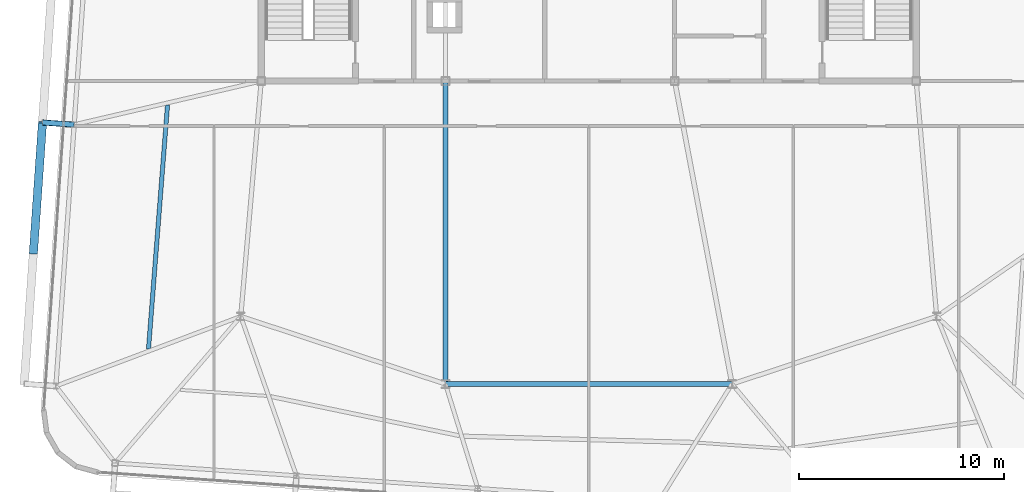
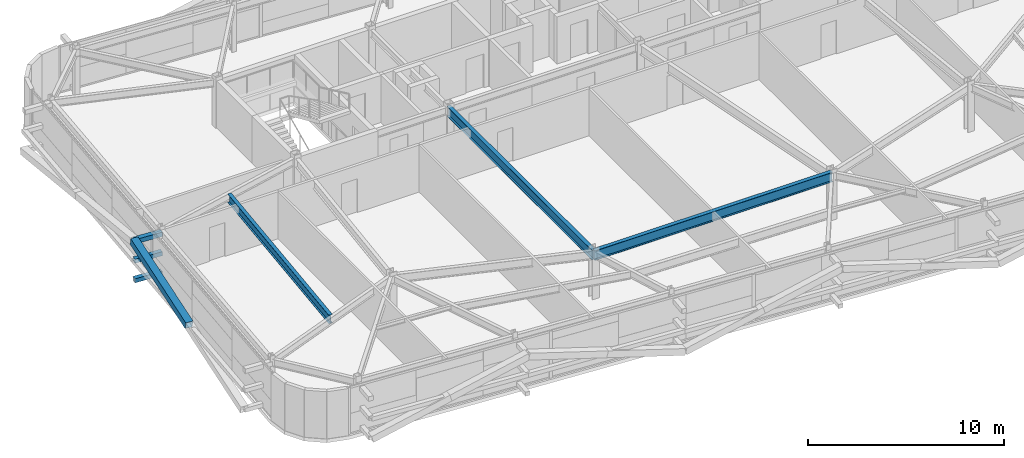
# One storey, part 10 of 39: 4 members, 3 beams.
"""IFC4 building model written with IfcOpenShell, lengths in metres."""

import ifcopenshell
import ifcopenshell.guid

model = None  # the IFC model being written
_history = None  # IfcOwnerHistory: only IFC2X3 demands one
_inside = {}  # id of a spatial element -> (the spatial element, [elements in it])
_under = {}  # id of a project, library or spatial element -> (it, [spatial elements below it])
_declared = {}  # id of a project -> (the project, [libraries it declares])
_typed = {}  # id of a type object -> (the type object, [elements of that type])
_made_of = {}  # id of a material, layer set ... -> (it, [elements and type objects made of it])


def new_model(schema):
    """Start an empty IFC model of exactly this schema.

    Asked for "IFC4X3", IfcOpenShell would pick the latest addendum, in which some entities
    have other attributes; the version numbers below select the first issue.
    IFC2X3 requires an IfcOwnerHistory on every rooted entity: one is made here for all.
    """
    global model, _history
    if schema == "IFC4X3":
        model = ifcopenshell.file(schema_version=(4, 3, 0, 0))
    else:
        model = ifcopenshell.file(schema=schema)
    _inside.clear()
    _under.clear()
    _declared.clear()
    _typed.clear()
    _made_of.clear()
    _history = None
    if model.schema == "IFC2X3":
        org = make("IfcOrganization", Name="unknown")
        user = make(
            "IfcPersonAndOrganization",
            ThePerson=make("IfcPerson", FamilyName="unknown"),
            TheOrganization=org,
        )
        app = make(
            "IfcApplication",
            ApplicationDeveloper=org,
            Version="unknown",
            ApplicationFullName="unknown",
            ApplicationIdentifier="unknown",
        )
        _history = make(
            "IfcOwnerHistory",
            OwningUser=user,
            OwningApplication=app,
            ChangeAction="ADDED",
            CreationDate=0,
        )
    return model


def make(cls, **values):
    """One entity of the class cls with the attributes given. An attribute that is None is left unset."""
    return model.create_entity(
        cls, **{name: value for name, value in values.items() if value is not None}
    )


def rooted(cls, **values):
    """An entity with a GlobalId (a new one), such as an element, a storey or a relation."""
    return make(cls, GlobalId=ifcopenshell.guid.new(), OwnerHistory=_history, **values)


def si_unit(unit_type, name, prefix=None):
    """IfcSIUnit, for example si_unit("LENGTHUNIT", "METRE", prefix="MILLI")."""
    return make("IfcSIUnit", UnitType=unit_type, Prefix=prefix, Name=name)


def assignment(units):
    """IfcUnitAssignment: the units of a project."""
    return None if units is None else make("IfcUnitAssignment", Units=units)


def point(xyz):
    """IfcCartesianPoint."""
    return None if xyz is None else make("IfcCartesianPoint", Coordinates=xyz)


def direction(xyz):
    """IfcDirection."""
    return None if xyz is None else make("IfcDirection", DirectionRatios=xyz)


def frame(location, z_axis=None, x_axis=None):
    """IfcAxis2Placement3D, a coordinate frame: its origin and axes. An axis left out is left unset."""
    return make(
        "IfcAxis2Placement3D",
        Location=point(location),
        Axis=direction(z_axis),
        RefDirection=direction(x_axis),
    )


def frame_2d(location, x_axis=None):
    """IfcAxis2Placement2D, a coordinate frame in the plane: its origin and x axis."""
    return make(
        "IfcAxis2Placement2D", Location=point(location), RefDirection=direction(x_axis)
    )


def origin():
    """The frame at (0, 0, 0) with its axes left unset."""
    return frame((0.0, 0.0, 0.0))


def origin_2d():
    """The frame at (0, 0) in the plane with its x axis left unset."""
    return frame_2d((0.0, 0.0))


def place(relative_to, where):
    """IfcLocalPlacement: puts the frame where relative to a parent placement (None: the world)."""
    return make(
        "IfcLocalPlacement", PlacementRelTo=relative_to, RelativePlacement=where
    )


def context(
    kind, dimensions, precision=None, world=None, true_north=None, identifier=None
):
    """IfcGeometricRepresentationContext, for example the 3D "Model" context."""
    return make(
        "IfcGeometricRepresentationContext",
        ContextIdentifier=identifier,
        ContextType=kind,
        CoordinateSpaceDimension=dimensions,
        Precision=precision,
        WorldCoordinateSystem=world,
        TrueNorth=true_north,
    )


def subcontext(parent, identifier, kind, view, scale=None):
    """IfcGeometricRepresentationSubContext, for example "Body" below "Model"."""
    return make(
        "IfcGeometricRepresentationSubContext",
        ContextIdentifier=identifier,
        ContextType=kind,
        ParentContext=parent,
        TargetScale=scale,
        TargetView=view,
    )


def project(units=None, contexts=None):
    """IfcProject with its units and contexts."""
    return rooted(
        "IfcProject",
        Name="project",
        RepresentationContexts=contexts,
        UnitsInContext=assignment(units),
    )


def spatial(cls, under=None, at=None, **own):
    """A site, building, storey or space (cls), placed at a placement, below another one or the project."""
    s = rooted(cls, ObjectPlacement=at, **own)
    if under is not None:
        _under.setdefault(under.id(), (under, []))[1].append(s)
    return s


def profile(cls, at=None, kind="AREA", **sizes):
    """A parametric profile (cls). Its sizes go by their IFC names, for example OverallWidth=200.0."""
    return make(cls, ProfileType=kind, Position=at, **sizes)


def hollow_rectangle(**sizes):
    """IfcRectangleHollowProfileDef."""
    return profile("IfcRectangleHollowProfileDef", **sizes)


def i_section(**sizes):
    """IfcIShapeProfileDef."""
    return profile("IfcIShapeProfileDef", **sizes)


def extrude(swept, where, along, depth):
    """IfcExtrudedAreaSolid: the profile swept, set in the frame where, extruded along a direction by depth."""
    return make(
        "IfcExtrudedAreaSolid",
        SweptArea=swept,
        Position=where,
        ExtrudedDirection=direction(along),
        Depth=depth,
    )


def shape(context_of_items, identifier, shape_type, items):
    """IfcShapeRepresentation: the items that make up one representation, for example the "Body"."""
    return make(
        "IfcShapeRepresentation",
        ContextOfItems=context_of_items,
        RepresentationIdentifier=identifier,
        RepresentationType=shape_type,
        Items=items,
    )


def source(mapping_origin, context_of_items, identifier, shape_type, items):
    """IfcRepresentationMap: a shape defined once, which mapped items show again and again."""
    return make(
        "IfcRepresentationMap",
        MappingOrigin=mapping_origin,
        MappedRepresentation=shape(context_of_items, identifier, shape_type, items),
    )


def transform(
    local_origin,
    x_axis=None,
    y_axis=None,
    z_axis=None,
    scale=None,
    scale2=None,
    scale3=None,
    uniform=True,
):
    """IfcCartesianTransformationOperator3D, or its non-uniform kind. x_axis, y_axis, z_axis: its Axis1, 2, 3."""
    if uniform:
        return make(
            "IfcCartesianTransformationOperator3D",
            Axis1=direction(x_axis),
            Axis2=direction(y_axis),
            LocalOrigin=point(local_origin),
            Scale=scale,
            Axis3=direction(z_axis),
        )
    return make(
        "IfcCartesianTransformationOperator3DnonUniform",
        Axis1=direction(x_axis),
        Axis2=direction(y_axis),
        LocalOrigin=point(local_origin),
        Scale=scale,
        Axis3=direction(z_axis),
        Scale2=scale2,
        Scale3=scale3,
    )


def mapped(mapping_source, mapping_target):
    """IfcMappedItem: shows the shape of a source again, moved by a transform."""
    return make(
        "IfcMappedItem", MappingSource=mapping_source, MappingTarget=mapping_target
    )


def material(Name=None, Category=None):
    """IfcMaterial."""
    return make("IfcMaterial", Name=Name, Category=Category)


def material_profile(
    of_material, cross_section, Name=None, Category=None, Priority=None
):
    """IfcMaterialProfile: a cross section and its material."""
    return make(
        "IfcMaterialProfile",
        Name=Name,
        Material=of_material,
        Profile=cross_section,
        Priority=Priority,
        Category=Category,
    )


def profile_set(profiles, Name=None, composite=None):
    """IfcMaterialProfileSet."""
    return make(
        "IfcMaterialProfileSet",
        Name=Name,
        MaterialProfiles=profiles,
        CompositeProfile=composite,
    )


def made_of(thing, what):
    """Note that an element or type object is made of a material, layer set ...; save() writes the relation."""
    if what is not None:
        _made_of.setdefault(what.id(), (what, []))[1].append(thing)
    return thing


def type_object(cls, material=None, **own):
    """A type object (cls), such as IfcWallType, which elements share."""
    return made_of(rooted(cls, **own), material)


def element(
    cls,
    number,
    at=None,
    inside=None,
    cuts=None,
    type_object=None,
    material=None,
    context=None,
    identifier="Body",
    shape_type=None,
    held_by="IfcProductDefinitionShape",
    body=None,
    shapes=None,
    **own,
):
    """One element of the class cls, such as IfcWall. Its Tag is "e" and its number.

    at: its placement. inside: the storey or other place that contains it. cuts: it is an
    opening in that element (IfcRelVoidsElement). A single representation is given by context,
    identifier, shape_type and body (its items); several are given by shapes. held_by: the class
    of the entity that holds the representations. save() writes the other relations.
    """
    e = rooted(cls, Tag="e%d" % number, ObjectPlacement=at, **own)
    if body is not None:
        shapes = [shape(context, identifier, shape_type, body)]
    if shapes is not None:
        e.Representation = make(held_by, Representations=shapes)
    if inside is not None:
        _inside.setdefault(inside.id(), (inside, []))[1].append(e)
    if cuts is not None:
        rooted(
            "IfcRelVoidsElement", RelatingBuildingElement=cuts, RelatedOpeningElement=e
        )
    if type_object is not None:
        _typed.setdefault(type_object.id(), (type_object, []))[1].append(e)
    return made_of(e, material)


def aggregate(whole, parts):
    """IfcRelAggregates: a whole, such as a stair, and the parts it consists of."""
    return rooted("IfcRelAggregates", RelatingObject=whole, RelatedObjects=parts)


def save(model, path):
    """Write the relations noted so far, then the file.

    IfcRelAggregates (storeys below a building ...), IfcRelContainedInSpatialStructure (elements
    in a storey), IfcRelDefinesByType, IfcRelAssociatesMaterial and IfcRelDeclares: one each for
    every whole, place, type object, material and project.
    """
    for whole, parts in _under.values():
        aggregate(whole, parts)
    for where, things in _inside.values():
        rooted(
            "IfcRelContainedInSpatialStructure",
            RelatedElements=things,
            RelatingStructure=where,
        )
    for kind, things in _typed.values():
        rooted("IfcRelDefinesByType", RelatedObjects=things, RelatingType=kind)
    for what, things in _made_of.values():
        rooted("IfcRelAssociatesMaterial", RelatedObjects=things, RelatingMaterial=what)
    for by, libraries in _declared.values():
        rooted("IfcRelDeclares", RelatingContext=by, RelatedDefinitions=libraries)
    model.write(path)


model = new_model("IFC4")

# Units and contexts
model_context = context("Model", 3, precision=1e-05, world=origin(), true_north=direction((0.0, 1.0)))
body_context = subcontext(model_context, "Body", "Model", "MODEL_VIEW")
ifc_project = project(units=[si_unit("LENGTHUNIT", "METRE"), si_unit("AREAUNIT", "SQUARE_METRE"), si_unit("VOLUMEUNIT", "CUBIC_METRE"), si_unit("PLANEANGLEUNIT", "RADIAN"), si_unit("MASSUNIT", "GRAM", prefix="KILO")], contexts=[model_context])

# Site, building, storey
site_placement = place(None, origin())
site = spatial("IfcSite", under=ifc_project, at=site_placement, CompositionType="ELEMENT")
building_placement = place(site_placement, origin())
building = spatial("IfcBuilding", under=site, at=building_placement, Name="Taldren Reach Tower", CompositionType="ELEMENT")
storey_placement = place(building_placement, frame((0.0, 0.0, 145.60009765625)))
storey = spatial("IfcBuildingStorey", under=building, at=storey_placement, Name="L44", CompositionType="ELEMENT", Elevation=145.60009765625)

# Beams
ifc_material_1 = material(Name="Steel Gr 350 (350PLUS)", Category="steel")
ifc_material_profile_1 = material_profile(ifc_material_1, i_section(OverallWidth=0.22802734375, OverallDepth=0.60205078125, WebThickness=0.010498046875, FlangeThickness=0.014892578125, at=origin_2d()), Name="610UB101")
ifc_profile_set_1 = profile_set([ifc_material_profile_1], Name="Steel Gr 350 (350PLUS)")
beam_type_1 = type_object("IfcBeamType", Name="BM-UB610B", PredefinedType="BEAM", material=ifc_profile_set_1)
shared_shape_1 = source(origin(), body_context, "Body", "SweptSolid", [
    extrude(i_section(OverallWidth=0.22802734375, OverallDepth=0.60205078125, WebThickness=0.010498046875, FlangeThickness=0.014892578125, at=origin_2d()), origin(), (0.0, 0.0, 1.0), 14.0),
])
beam_1_placement = place(storey_placement, frame((28.0, 9.199951171875, 2.62890625), z_axis=(1.0, 0.0, 0.0), x_axis=(0.0, 1.0, 0.0)))
element("IfcBeam", 1, at=beam_1_placement, inside=storey, type_object=beam_type_1, Name="Core-spine girder L44-SP11", PredefinedType="BEAM", context=body_context, shape_type="MappedRepresentation", body=[
    mapped(shared_shape_1, transform((0.0, 0.0, 0.0), scale=1.0)),
])
shared_shape_2 = source(origin(), body_context, "Body", "SweptSolid", [
    extrude(i_section(OverallWidth=0.22802734375, OverallDepth=0.60205078125, WebThickness=0.010498046875, FlangeThickness=0.014892578125, at=origin_2d()), origin(), (0.0, 0.0, 1.0), 14.800048828125),
])
beam_2_placement = place(storey_placement, frame((28.0, 24.0, 2.62890625), z_axis=(0.0, -1.0, 0.0), x_axis=(1.0, 0.0, 0.0)))
element("IfcBeam", 2, at=beam_2_placement, inside=storey, type_object=beam_type_1, Name="Core-spine girder L44-SP14", PredefinedType="BEAM", context=body_context, shape_type="MappedRepresentation", body=[
    mapped(shared_shape_2, transform((0.0, 0.0, 0.0), scale=1.0)),
])

# Members
ifc_material_2 = material(Name="Steel Gr 450 (C450L0)", Category="steel")
ifc_material_profile_2 = material_profile(ifc_material_2, hollow_rectangle(XDim=0.27490234375, YDim=0.27490234375, WallThickness=0.00927734375, at=origin_2d()), Name="275x275x9.3SHS")
ifc_profile_set_2 = profile_set([ifc_material_profile_2], Name="Steel Gr 450 (C450L0)")
member_type_1 = type_object("IfcMemberType", Name="MB-TIE273", PredefinedType="STRUT", material=ifc_profile_set_2)
shared_shape_3 = source(origin(), body_context, "Body", "SweptSolid", [
    extrude(hollow_rectangle(XDim=0.27490234375, YDim=0.27490234375, WallThickness=0.00927734375, at=origin_2d()), origin(), (0.0, 0.0, 1.0), 1.550048828125),
])
member_1_placement = place(storey_placement, frame((9.86181640625, 21.868408203125, 2.64990234375), z_axis=(-0.99756313426, 0.06976957191, 0.0), x_axis=(-0.06976957191, -0.99756313426, 0.0)))
element("IfcMember", 3, at=member_1_placement, inside=storey, type_object=member_type_1, Name="Exoskeleton diaphragm tie strut B3-W2 L44", PredefinedType="STRUT", context=body_context, shape_type="MappedRepresentation", body=[
    mapped(shared_shape_3, transform((0.0, 0.0, 0.0), scale=1.0)),
])
ifc_material_3 = material(Name="Steel Gr 350 (C350L0)", Category="steel")
ifc_material_profile_3 = material_profile(ifc_material_3, hollow_rectangle(XDim=0.25, YDim=0.25, WallThickness=0.010009765625, at=origin_2d()), Name="250x250x10.0SHS")
ifc_profile_set_3 = profile_set([ifc_material_profile_3], Name="Steel Gr 350 (C350L0)")
member_type_2 = type_object("IfcMemberType", Name="MB-POST250", PredefinedType="POST", material=ifc_profile_set_3)
shared_shape_4 = source(origin(), body_context, "Body", "SweptSolid", [
    extrude(hollow_rectangle(XDim=0.25, YDim=0.25, WallThickness=0.010009765625, at=origin_2d()), origin(), (0.0, 0.0, 1.0), 1.550048828125),
])
for number, where, z_axis, x_axis, name in (
    (4, (9.86181640625, 21.868408203125, 0.219970703125), (-0.99756313426, 0.06976957191, 0.0), (-0.06976957191, -0.99756313426, 0.0), "Exoskeleton base diaphragm tie strut B3-W2 L44"),
    (5, (9.86181640625, 21.868408203125, 1.434814453125), (-0.99756313426, 0.06976957191, 0.0), (-0.06976957191, -0.99756313426, 0.0), "Exoskeleton mid-tier diaphragm tie B3-W2 L44"),
):
    element("IfcMember", number, at=place(storey_placement, frame(where, z_axis=z_axis, x_axis=x_axis)), inside=storey, type_object=member_type_2, Name=name, PredefinedType="POST", context=body_context, shape_type="MappedRepresentation", body=[
        mapped(shared_shape_4, transform((0.0, 0.0, 0.0), scale=1.0)),
    ])

# Beam
ifc_material_profile_4 = material_profile(ifc_material_1, i_section(OverallWidth=0.208984375, OverallDepth=0.532958984375, WebThickness=0.01025390625, FlangeThickness=0.015625, at=origin_2d()), Name="530UB92.4")
ifc_profile_set_4 = profile_set([ifc_material_profile_4], Name="Steel Gr 350 (350PLUS)")
beam_type_2 = type_object("IfcBeamType", Name="BM-UB530A", PredefinedType="BEAM", material=ifc_profile_set_4)
shared_shape_5 = source(origin(), body_context, "Body", "SweptSolid", [
    extrude(i_section(OverallWidth=0.208984375, OverallDepth=0.532958984375, WebThickness=0.01025390625, FlangeThickness=0.015625, at=origin_2d()), origin(), (0.0, 0.0, 1.0), 11.965576171875),
])
beam_3_placement = place(storey_placement, frame((13.49267578125, 10.90478515625, 2.663330078125), z_axis=(0.077757433297, 0.996972307322, 0.0), x_axis=(-0.996972307322, 0.077757433297, 0.0)))
element("IfcBeam", 6, at=beam_3_placement, inside=storey, type_object=beam_type_2, Name="Secondary floor beam B3 J6 L44", PredefinedType="BEAM", context=body_context, shape_type="MappedRepresentation", body=[
    mapped(shared_shape_5, transform((0.0, 0.0, 0.0), scale=1.0)),
])

# Member
ifc_material_profile_5 = material_profile(ifc_material_2, hollow_rectangle(XDim=0.409912109375, YDim=0.409912109375, WallThickness=0.01611328125, at=origin_2d()), Name="410x410x16.0SHS")
ifc_profile_set_5 = profile_set([ifc_material_profile_5], Name="Steel Gr 450 (C450L0)")
member_type_3 = type_object("IfcMemberType", Name="MB-EXO406", PredefinedType="BRACE", material=ifc_profile_set_5)
shared_shape_6 = source(origin(), body_context, "Body", "SweptSolid", [
    extrude(hollow_rectangle(XDim=0.409912109375, YDim=0.409912109375, WallThickness=0.01611328125, at=origin_2d()), origin(), (0.0, 0.0, 1.0), 6.514404296875),
])
member_2_placement = place(storey_placement, frame((7.869140625, 15.592041015625, 1.434814453125), z_axis=(0.068507825937, 0.980059166346, 0.186522674885), x_axis=(-0.997565791441, 0.069731569223, 0.0)))
element("IfcMember", 7, at=member_2_placement, inside=storey, type_object=member_type_3, Name="Exoskeleton Diagrid Brace B3-W1 L44", PredefinedType="BRACE", context=body_context, shape_type="MappedRepresentation", body=[
    mapped(shared_shape_6, transform((0.0, 0.0, 0.0), scale=1.0)),
])

save(model, "model.ifc")
